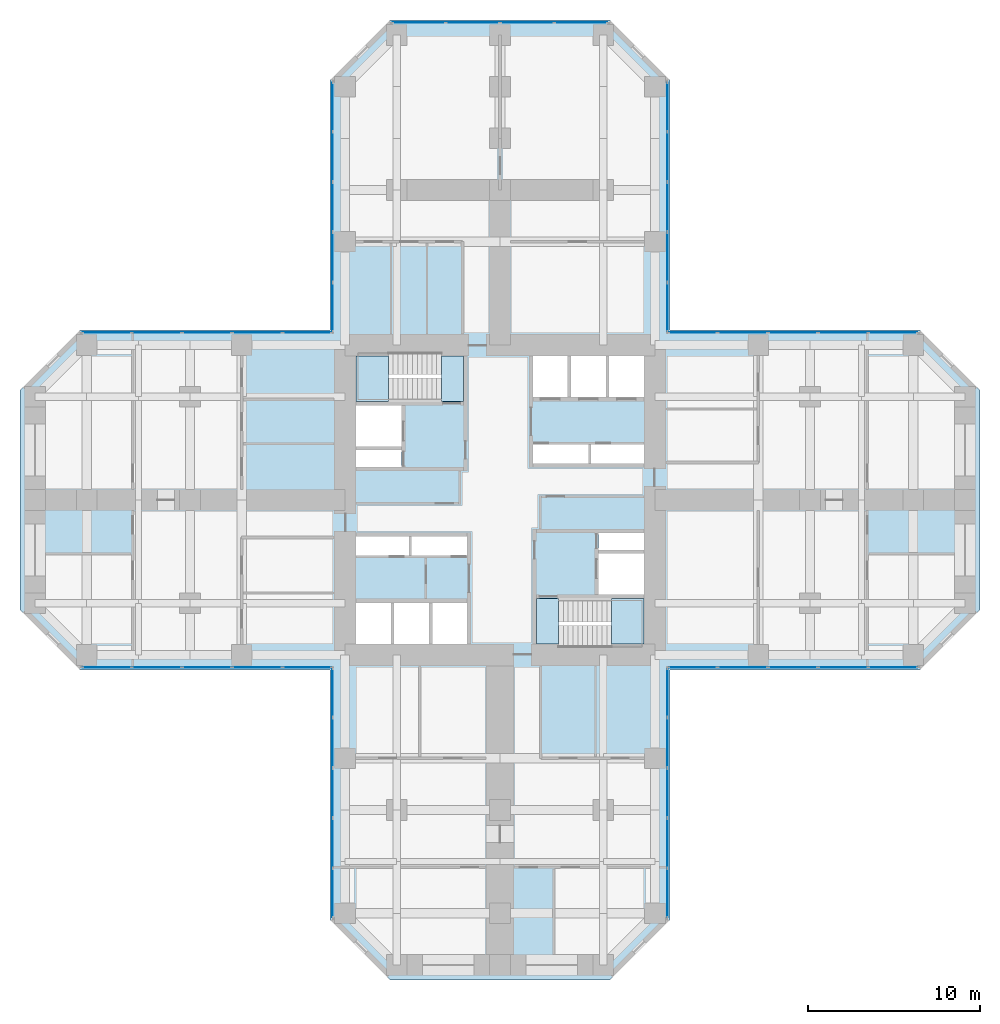
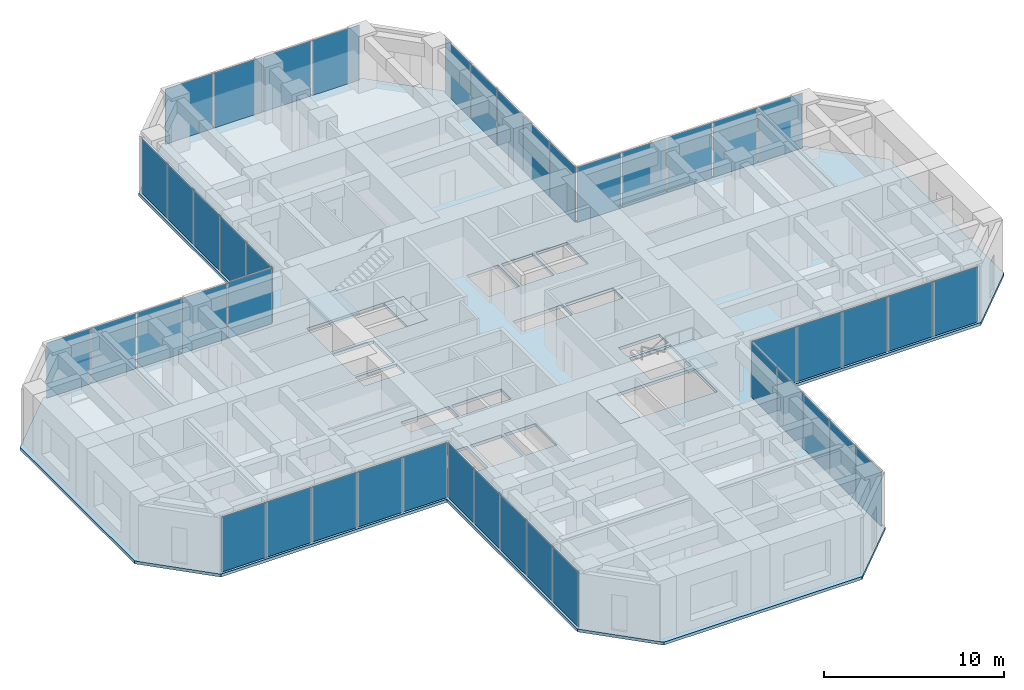
# One storey, part 7 of 13: 44 plates, 5 slabs, 11 elements without a shape of their own.
"""IFC4 building model written with IfcOpenShell, lengths in metres."""

import ifcopenshell
import ifcopenshell.guid

model = None  # the IFC model being written
_history = None  # IfcOwnerHistory: only IFC2X3 demands one
_inside = {}  # id of a spatial element -> (the spatial element, [elements in it])
_under = {}  # id of a project, library or spatial element -> (it, [spatial elements below it])
_declared = {}  # id of a project -> (the project, [libraries it declares])
_typed = {}  # id of a type object -> (the type object, [elements of that type])
_made_of = {}  # id of a material, layer set ... -> (it, [elements and type objects made of it])


def new_model(schema):
    """Start an empty IFC model of exactly this schema.

    Asked for "IFC4X3", IfcOpenShell would pick the latest addendum, in which some entities
    have other attributes; the version numbers below select the first issue.
    IFC2X3 requires an IfcOwnerHistory on every rooted entity: one is made here for all.
    """
    global model, _history
    if schema == "IFC4X3":
        model = ifcopenshell.file(schema_version=(4, 3, 0, 0))
    else:
        model = ifcopenshell.file(schema=schema)
    _inside.clear()
    _under.clear()
    _declared.clear()
    _typed.clear()
    _made_of.clear()
    _history = None
    if model.schema == "IFC2X3":
        org = make("IfcOrganization", Name="unknown")
        user = make(
            "IfcPersonAndOrganization",
            ThePerson=make("IfcPerson", FamilyName="unknown"),
            TheOrganization=org,
        )
        app = make(
            "IfcApplication",
            ApplicationDeveloper=org,
            Version="unknown",
            ApplicationFullName="unknown",
            ApplicationIdentifier="unknown",
        )
        _history = make(
            "IfcOwnerHistory",
            OwningUser=user,
            OwningApplication=app,
            ChangeAction="ADDED",
            CreationDate=0,
        )
    return model


def make(cls, **values):
    """One entity of the class cls with the attributes given. An attribute that is None is left unset."""
    return model.create_entity(
        cls, **{name: value for name, value in values.items() if value is not None}
    )


def rooted(cls, **values):
    """An entity with a GlobalId (a new one), such as an element, a storey or a relation."""
    return make(cls, GlobalId=ifcopenshell.guid.new(), OwnerHistory=_history, **values)


def si_unit(unit_type, name, prefix=None):
    """IfcSIUnit, for example si_unit("LENGTHUNIT", "METRE", prefix="MILLI")."""
    return make("IfcSIUnit", UnitType=unit_type, Prefix=prefix, Name=name)


def assignment(units):
    """IfcUnitAssignment: the units of a project."""
    return None if units is None else make("IfcUnitAssignment", Units=units)


def point(xyz):
    """IfcCartesianPoint."""
    return None if xyz is None else make("IfcCartesianPoint", Coordinates=xyz)


def direction(xyz):
    """IfcDirection."""
    return None if xyz is None else make("IfcDirection", DirectionRatios=xyz)


def frame(location, z_axis=None, x_axis=None):
    """IfcAxis2Placement3D, a coordinate frame: its origin and axes. An axis left out is left unset."""
    return make(
        "IfcAxis2Placement3D",
        Location=point(location),
        Axis=direction(z_axis),
        RefDirection=direction(x_axis),
    )


def frame_2d(location, x_axis=None):
    """IfcAxis2Placement2D, a coordinate frame in the plane: its origin and x axis."""
    return make(
        "IfcAxis2Placement2D", Location=point(location), RefDirection=direction(x_axis)
    )


def origin():
    """The frame at (0, 0, 0) with its axes left unset."""
    return frame((0.0, 0.0, 0.0))


def origin_2d():
    """The frame at (0, 0) in the plane with its x axis left unset."""
    return frame_2d((0.0, 0.0))


def place(relative_to, where):
    """IfcLocalPlacement: puts the frame where relative to a parent placement (None: the world)."""
    return make(
        "IfcLocalPlacement", PlacementRelTo=relative_to, RelativePlacement=where
    )


def context(
    kind, dimensions, precision=None, world=None, true_north=None, identifier=None
):
    """IfcGeometricRepresentationContext, for example the 3D "Model" context."""
    return make(
        "IfcGeometricRepresentationContext",
        ContextIdentifier=identifier,
        ContextType=kind,
        CoordinateSpaceDimension=dimensions,
        Precision=precision,
        WorldCoordinateSystem=world,
        TrueNorth=true_north,
    )


def subcontext(parent, identifier, kind, view, scale=None):
    """IfcGeometricRepresentationSubContext, for example "Body" below "Model"."""
    return make(
        "IfcGeometricRepresentationSubContext",
        ContextIdentifier=identifier,
        ContextType=kind,
        ParentContext=parent,
        TargetScale=scale,
        TargetView=view,
    )


def project(units=None, contexts=None):
    """IfcProject with its units and contexts."""
    return rooted(
        "IfcProject",
        Name="project",
        RepresentationContexts=contexts,
        UnitsInContext=assignment(units),
    )


def spatial(cls, under=None, at=None, **own):
    """A site, building, storey or space (cls), placed at a placement, below another one or the project."""
    s = rooted(cls, ObjectPlacement=at, **own)
    if under is not None:
        _under.setdefault(under.id(), (under, []))[1].append(s)
    return s


def polyline(points):
    """IfcPolyline through the points."""
    return make("IfcPolyline", Points=[point(p) for p in points])


def profile(cls, at=None, kind="AREA", **sizes):
    """A parametric profile (cls). Its sizes go by their IFC names, for example OverallWidth=200.0."""
    return make(cls, ProfileType=kind, Position=at, **sizes)


def rectangle(**sizes):
    """IfcRectangleProfileDef."""
    return profile("IfcRectangleProfileDef", **sizes)


def outline(outer, holes=None, kind="AREA"):
    """IfcArbitraryClosedProfileDef: a profile drawn as a closed curve; with holes, ...WithVoids."""
    if holes is None:
        return make("IfcArbitraryClosedProfileDef", ProfileType=kind, OuterCurve=outer)
    return make(
        "IfcArbitraryProfileDefWithVoids",
        ProfileType=kind,
        OuterCurve=outer,
        InnerCurves=holes,
    )


def extrude(swept, where, along, depth):
    """IfcExtrudedAreaSolid: the profile swept, set in the frame where, extruded along a direction by depth."""
    return make(
        "IfcExtrudedAreaSolid",
        SweptArea=swept,
        Position=where,
        ExtrudedDirection=direction(along),
        Depth=depth,
    )


def shape(context_of_items, identifier, shape_type, items):
    """IfcShapeRepresentation: the items that make up one representation, for example the "Body"."""
    return make(
        "IfcShapeRepresentation",
        ContextOfItems=context_of_items,
        RepresentationIdentifier=identifier,
        RepresentationType=shape_type,
        Items=items,
    )


def material(Name=None, Category=None):
    """IfcMaterial."""
    return make("IfcMaterial", Name=Name, Category=Category)


def layer(
    of_material, thickness, ventilated=None, Name=None, Category=None, Priority=None
):
    """IfcMaterialLayer: one layer of a wall or slab, of a material (None: an air gap)."""
    return make(
        "IfcMaterialLayer",
        Material=of_material,
        LayerThickness=thickness,
        IsVentilated=ventilated,
        Name=Name,
        Category=Category,
        Priority=Priority,
    )


def layer_set(layers, Name=None):
    """IfcMaterialLayerSet."""
    return make("IfcMaterialLayerSet", MaterialLayers=layers, LayerSetName=Name)


def made_of(thing, what):
    """Note that an element or type object is made of a material, layer set ...; save() writes the relation."""
    if what is not None:
        _made_of.setdefault(what.id(), (what, []))[1].append(thing)
    return thing


def type_object(cls, material=None, **own):
    """A type object (cls), such as IfcWallType, which elements share."""
    return made_of(rooted(cls, **own), material)


def element(
    cls,
    number,
    at=None,
    inside=None,
    cuts=None,
    type_object=None,
    material=None,
    context=None,
    identifier="Body",
    shape_type=None,
    held_by="IfcProductDefinitionShape",
    body=None,
    shapes=None,
    **own,
):
    """One element of the class cls, such as IfcWall. Its Tag is "e" and its number.

    at: its placement. inside: the storey or other place that contains it. cuts: it is an
    opening in that element (IfcRelVoidsElement). A single representation is given by context,
    identifier, shape_type and body (its items); several are given by shapes. held_by: the class
    of the entity that holds the representations. save() writes the other relations.
    """
    e = rooted(cls, Tag="e%d" % number, ObjectPlacement=at, **own)
    if body is not None:
        shapes = [shape(context, identifier, shape_type, body)]
    if shapes is not None:
        e.Representation = make(held_by, Representations=shapes)
    if inside is not None:
        _inside.setdefault(inside.id(), (inside, []))[1].append(e)
    if cuts is not None:
        rooted(
            "IfcRelVoidsElement", RelatingBuildingElement=cuts, RelatedOpeningElement=e
        )
    if type_object is not None:
        _typed.setdefault(type_object.id(), (type_object, []))[1].append(e)
    return made_of(e, material)


def aggregate(whole, parts):
    """IfcRelAggregates: a whole, such as a stair, and the parts it consists of."""
    return rooted("IfcRelAggregates", RelatingObject=whole, RelatedObjects=parts)


def save(model, path):
    """Write the relations noted so far, then the file.

    IfcRelAggregates (storeys below a building ...), IfcRelContainedInSpatialStructure (elements
    in a storey), IfcRelDefinesByType, IfcRelAssociatesMaterial and IfcRelDeclares: one each for
    every whole, place, type object, material and project.
    """
    for whole, parts in _under.values():
        aggregate(whole, parts)
    for where, things in _inside.values():
        rooted(
            "IfcRelContainedInSpatialStructure",
            RelatedElements=things,
            RelatingStructure=where,
        )
    for kind, things in _typed.values():
        rooted("IfcRelDefinesByType", RelatedObjects=things, RelatingType=kind)
    for what, things in _made_of.values():
        rooted("IfcRelAssociatesMaterial", RelatedObjects=things, RelatingMaterial=what)
    for by, libraries in _declared.values():
        rooted("IfcRelDeclares", RelatingContext=by, RelatedDefinitions=libraries)
    model.write(path)


model = new_model("IFC4")

# Units and contexts
model_context = context("Model", 3, precision=1e-05, world=origin(), true_north=direction((0.0, 1.0)))
body_context = subcontext(model_context, "Body", "Model", "MODEL_VIEW")
ifc_project = project(units=[si_unit("LENGTHUNIT", "METRE"), si_unit("AREAUNIT", "SQUARE_METRE"), si_unit("VOLUMEUNIT", "CUBIC_METRE"), si_unit("PLANEANGLEUNIT", "RADIAN"), si_unit("MASSUNIT", "GRAM", prefix="KILO")], contexts=[model_context])

# Site, building, storey
site_placement = place(None, origin())
site = spatial("IfcSite", under=ifc_project, at=site_placement, CompositionType="ELEMENT")
building_placement = place(site_placement, origin())
building = spatial("IfcBuilding", under=site, at=building_placement, Name="Torre Cruceta", CompositionType="ELEMENT")
storey_placement = place(building_placement, frame((0.0, 0.0, 51.5)))
storey = spatial("IfcBuildingStorey", under=building, at=storey_placement, Name="L12", CompositionType="ELEMENT", Elevation=51.5)

# Curtain wall, plate
ifc_material_1 = material(Name="Aluminium unitised curtain wall", Category="aluminium")
curtain_wall_type = type_object("IfcCurtainWallType", Name="CURTAIN WALL CW-A OFFICE LOW RISE", PredefinedType="USERDEFINED", material=ifc_material_1)
curtain_wall_1_placement = place(storey_placement, origin())
curtain_wall_1 = element("IfcCurtainWall", 1, at=curtain_wall_1_placement, inside=storey, type_object=curtain_wall_type, Name="CW-A L12 E side 00", ObjectType="UNITISED", PredefinedType="USERDEFINED")
ifc_material_2 = material(Name="Laminated insulating glass unit, diagonal frit 50 %", Category="glass")
ifc_material_3 = material(Name="Laminated insulating glass unit, diagonal frit 50 %", Category="glass")
ifc_layer_1 = layer(ifc_material_3, 0.033935546875)
ifc_layer_set_1 = layer_set([ifc_layer_1], Name="Laminated insulating glass unit, diagonal frit 50 %")
plate_type_1 = type_object("IfcPlateType", Name="CW-A OPERABLE VENT PANEL 34", PredefinedType="CURTAIN_PANEL", material=ifc_layer_set_1)
plate_1_placement = place(storey_placement, frame((17.009033203125, -9.719970703125, 0.010009765625), z_axis=(0.0, 0.0, 1.0), x_axis=(1.0, 0.0, 0.0)))
plate_1 = element("IfcPlate", 2, at=plate_1_placement, type_object=plate_type_1, material=ifc_material_2, Name="CW-A vent 3", PredefinedType="CURTAIN_PANEL", context=body_context, shape_type="SweptSolid", body=[
    extrude(rectangle(XDim=2.8505859375, YDim=0.033935546875, at=origin_2d()), origin(), (0.0, 0.0, 1.0), 3.72509765625),
])

curtain_wall_2_placement = place(storey_placement, origin())
curtain_wall_2 = element("IfcCurtainWall", 3, at=curtain_wall_2_placement, inside=storey, type_object=curtain_wall_type, Name="CW-A L12 E side 04", ObjectType="UNITISED", PredefinedType="USERDEFINED")
plate_2_placement = place(storey_placement, frame((17.009033203125, 9.719970703125, 0.010009765625), z_axis=(0.0, 0.0, 1.0), x_axis=(-1.0, 0.0, 0.0)))
plate_2 = element("IfcPlate", 4, at=plate_2_placement, type_object=plate_type_1, material=ifc_material_2, Name="CW-A vent 3", PredefinedType="CURTAIN_PANEL", context=body_context, shape_type="SweptSolid", body=[
    extrude(rectangle(XDim=2.8505859375, YDim=0.033935546875, at=origin_2d()), origin(), (0.0, 0.0, 1.0), 3.72509765625),
])

curtain_wall_3_placement = place(storey_placement, origin())
curtain_wall_3 = element("IfcCurtainWall", 5, at=curtain_wall_3_placement, inside=storey, type_object=curtain_wall_type, Name="CW-A L12 N side 05", ObjectType="UNITISED", PredefinedType="USERDEFINED")
plate_3_placement = place(storey_placement, frame((9.719970703125, 17.009033203125, 0.010009765625), z_axis=(0.0, 0.0, 1.0), x_axis=(0.0, 1.0, 0.0)))
plate_3 = element("IfcPlate", 6, at=plate_3_placement, type_object=plate_type_1, material=ifc_material_2, Name="CW-A vent 3", PredefinedType="CURTAIN_PANEL", context=body_context, shape_type="SweptSolid", body=[
    extrude(rectangle(XDim=2.8505859375, YDim=0.033935546875, at=origin_2d()), origin(), (0.0, 0.0, 1.0), 3.72509765625),
])

curtain_wall_4_placement = place(storey_placement, origin())
curtain_wall_4 = element("IfcCurtainWall", 7, at=curtain_wall_4_placement, inside=storey, type_object=curtain_wall_type, Name="CW-A L12 N tip 07", ObjectType="UNITISED", PredefinedType="USERDEFINED")
plate_4_placement = place(storey_placement, frame((-1.574462890625, 27.719970703125, 0.010009765625), z_axis=(0.0, 0.0, 1.0), x_axis=(-1.0, 0.0, 0.0)))
plate_4 = element("IfcPlate", 8, at=plate_4_placement, type_object=plate_type_1, material=ifc_material_2, Name="CW-A vent 3", PredefinedType="CURTAIN_PANEL", context=body_context, shape_type="SweptSolid", body=[
    extrude(rectangle(XDim=3.084228515625, YDim=0.033935546875, at=origin_2d()), origin(), (0.0, 0.0, 1.0), 3.72509765625),
])

curtain_wall_5_placement = place(storey_placement, origin())
curtain_wall_5 = element("IfcCurtainWall", 9, at=curtain_wall_5_placement, inside=storey, type_object=curtain_wall_type, Name="CW-A L12 N side 09", ObjectType="UNITISED", PredefinedType="USERDEFINED")
plate_5_placement = place(storey_placement, frame((-9.719970703125, 17.009033203125, 0.010009765625), z_axis=(0.0, 0.0, 1.0), x_axis=(0.0, -1.0, 0.0)))
plate_5 = element("IfcPlate", 10, at=plate_5_placement, type_object=plate_type_1, material=ifc_material_2, Name="CW-A vent 3", PredefinedType="CURTAIN_PANEL", context=body_context, shape_type="SweptSolid", body=[
    extrude(rectangle(XDim=2.8505859375, YDim=0.033935546875, at=origin_2d()), origin(), (0.0, 0.0, 1.0), 3.72509765625),
])

curtain_wall_6_placement = place(storey_placement, origin())
curtain_wall_6 = element("IfcCurtainWall", 11, at=curtain_wall_6_placement, inside=storey, type_object=curtain_wall_type, Name="CW-A L12 W side 10", ObjectType="UNITISED", PredefinedType="USERDEFINED")
plate_6_placement = place(storey_placement, frame((-17.009033203125, 9.719970703125, 0.010009765625), z_axis=(0.0, 0.0, 1.0), x_axis=(-1.0, 0.0, 0.0)))
plate_6 = element("IfcPlate", 12, at=plate_6_placement, type_object=plate_type_1, material=ifc_material_2, Name="CW-A vent 3", PredefinedType="CURTAIN_PANEL", context=body_context, shape_type="SweptSolid", body=[
    extrude(rectangle(XDim=2.8505859375, YDim=0.033935546875, at=origin_2d()), origin(), (0.0, 0.0, 1.0), 3.72509765625),
])

curtain_wall_7_placement = place(storey_placement, origin())
curtain_wall_7 = element("IfcCurtainWall", 13, at=curtain_wall_7_placement, inside=storey, type_object=curtain_wall_type, Name="CW-A L12 W side 14", ObjectType="UNITISED", PredefinedType="USERDEFINED")
plate_7_placement = place(storey_placement, frame((-17.009033203125, -9.719970703125, 0.010009765625), z_axis=(0.0, 0.0, 1.0), x_axis=(1.0, 0.0, 0.0)))
plate_7 = element("IfcPlate", 14, at=plate_7_placement, type_object=plate_type_1, material=ifc_material_2, Name="CW-A vent 3", PredefinedType="CURTAIN_PANEL", context=body_context, shape_type="SweptSolid", body=[
    extrude(rectangle(XDim=2.8505859375, YDim=0.033935546875, at=origin_2d()), origin(), (0.0, 0.0, 1.0), 3.72509765625),
])

curtain_wall_8_placement = place(storey_placement, origin())
curtain_wall_8 = element("IfcCurtainWall", 15, at=curtain_wall_8_placement, inside=storey, type_object=curtain_wall_type, Name="CW-A L12 S side 15", ObjectType="UNITISED", PredefinedType="USERDEFINED")
plate_8_placement = place(storey_placement, frame((-9.719970703125, -17.009033203125, 0.010009765625), z_axis=(0.0, 0.0, 1.0), x_axis=(0.0, -1.0, 0.0)))
plate_8 = element("IfcPlate", 16, at=plate_8_placement, type_object=plate_type_1, material=ifc_material_2, Name="CW-A vent 3", PredefinedType="CURTAIN_PANEL", context=body_context, shape_type="SweptSolid", body=[
    extrude(rectangle(XDim=2.8505859375, YDim=0.033935546875, at=origin_2d()), origin(), (0.0, 0.0, 1.0), 3.72509765625),
])

curtain_wall_9_placement = place(storey_placement, origin())
curtain_wall_9 = element("IfcCurtainWall", 17, at=curtain_wall_9_placement, inside=storey, type_object=curtain_wall_type, Name="CW-A L12 S side 19", ObjectType="UNITISED", PredefinedType="USERDEFINED")
plate_9_placement = place(storey_placement, frame((9.719970703125, -17.009033203125, 0.010009765625), z_axis=(0.0, 0.0, 1.0), x_axis=(0.0, 1.0, 0.0)))
plate_9 = element("IfcPlate", 18, at=plate_9_placement, type_object=plate_type_1, material=ifc_material_2, Name="CW-A vent 3", PredefinedType="CURTAIN_PANEL", context=body_context, shape_type="SweptSolid", body=[
    extrude(rectangle(XDim=2.8505859375, YDim=0.033935546875, at=origin_2d()), origin(), (0.0, 0.0, 1.0), 3.72509765625),
])

# Plate
ifc_material_4 = material(Name="Laminated insulating glass unit, low-iron clear", Category="glass")
ifc_material_5 = material(Name="Laminated insulating glass unit, diagonal frit 50 %", Category="glass")
ifc_layer_2 = layer(ifc_material_5, 0.033935546875)
ifc_layer_set_2 = layer_set([ifc_layer_2], Name="Laminated insulating glass unit, diagonal frit 50 %")
plate_type_2 = type_object("IfcPlateType", Name="CW-A PANEL 34", PredefinedType="CURTAIN_PANEL", material=ifc_layer_set_2)
plate_10_placement = place(storey_placement, frame((11.194091796875, -9.719970703125, 0.010009765625), z_axis=(0.0, 0.0, 1.0), x_axis=(1.0, 0.0, 0.0)))
plate_10 = element("IfcPlate", 19, at=plate_10_placement, type_object=plate_type_2, material=ifc_material_4, Name="CW-A panel 1", PredefinedType="CURTAIN_PANEL", context=body_context, shape_type="SweptSolid", body=[
    extrude(rectangle(XDim=2.818115234375, YDim=0.033935546875, at=origin_2d()), origin(), (0.0, 0.0, 1.0), 3.72509765625),
])

plate_11_placement = place(storey_placement, frame((14.093505859375, -9.719970703125, 0.010009765625), z_axis=(0.0, 0.0, 1.0), x_axis=(1.0, 0.0, 0.0)))
plate_11 = element("IfcPlate", 20, at=plate_11_placement, type_object=plate_type_2, material=ifc_material_4, Name="CW-A panel 2", PredefinedType="CURTAIN_PANEL", context=body_context, shape_type="SweptSolid", body=[
    extrude(rectangle(XDim=2.8505859375, YDim=0.033935546875, at=origin_2d()), origin(), (0.0, 0.0, 1.0), 3.72509765625),
])

plate_12_placement = place(storey_placement, frame((19.9248046875, -9.719970703125, 0.010009765625), z_axis=(0.0, 0.0, 1.0), x_axis=(1.0, 0.0, 0.0)))
plate_12 = element("IfcPlate", 21, at=plate_12_placement, type_object=plate_type_2, material=ifc_material_2, Name="CW-A panel 4", PredefinedType="CURTAIN_PANEL", context=body_context, shape_type="SweptSolid", body=[
    extrude(rectangle(XDim=2.8505859375, YDim=0.033935546875, at=origin_2d()), origin(), (0.0, 0.0, 1.0), 3.72509765625),
])

plate_13_placement = place(storey_placement, frame((22.82421875, -9.719970703125, 0.010009765625), z_axis=(0.0, 0.0, 1.0), x_axis=(1.0, 0.0, 0.0)))
plate_13 = element("IfcPlate", 22, at=plate_13_placement, type_object=plate_type_2, material=ifc_material_2, Name="CW-A panel 5", PredefinedType="CURTAIN_PANEL", context=body_context, shape_type="SweptSolid", body=[
    extrude(rectangle(XDim=2.818115234375, YDim=0.033935546875, at=origin_2d()), origin(), (0.0, 0.0, 1.0), 3.72509765625),
])

aggregate(curtain_wall_1, [plate_10, plate_11, plate_1, plate_12, plate_13])

plate_14_placement = place(storey_placement, frame((22.82421875, 9.719970703125, 0.010009765625), z_axis=(0.0, 0.0, 1.0), x_axis=(-1.0, 0.0, 0.0)))
plate_14 = element("IfcPlate", 23, at=plate_14_placement, type_object=plate_type_2, material=ifc_material_4, Name="CW-A panel 1", PredefinedType="CURTAIN_PANEL", context=body_context, shape_type="SweptSolid", body=[
    extrude(rectangle(XDim=2.818115234375, YDim=0.033935546875, at=origin_2d()), origin(), (0.0, 0.0, 1.0), 3.72509765625),
])

plate_15_placement = place(storey_placement, frame((19.9248046875, 9.719970703125, 0.010009765625), z_axis=(0.0, 0.0, 1.0), x_axis=(-1.0, 0.0, 0.0)))
plate_15 = element("IfcPlate", 24, at=plate_15_placement, type_object=plate_type_2, material=ifc_material_4, Name="CW-A panel 2", PredefinedType="CURTAIN_PANEL", context=body_context, shape_type="SweptSolid", body=[
    extrude(rectangle(XDim=2.8505859375, YDim=0.033935546875, at=origin_2d()), origin(), (0.0, 0.0, 1.0), 3.72509765625),
])

plate_16_placement = place(storey_placement, frame((14.093505859375, 9.719970703125, 0.010009765625), z_axis=(0.0, 0.0, 1.0), x_axis=(-1.0, 0.0, 0.0)))
plate_16 = element("IfcPlate", 25, at=plate_16_placement, type_object=plate_type_2, material=ifc_material_2, Name="CW-A panel 4", PredefinedType="CURTAIN_PANEL", context=body_context, shape_type="SweptSolid", body=[
    extrude(rectangle(XDim=2.8505859375, YDim=0.033935546875, at=origin_2d()), origin(), (0.0, 0.0, 1.0), 3.72509765625),
])

plate_17_placement = place(storey_placement, frame((11.194091796875, 9.719970703125, 0.010009765625), z_axis=(0.0, 0.0, 1.0), x_axis=(-1.0, 0.0, 0.0)))
plate_17 = element("IfcPlate", 26, at=plate_17_placement, type_object=plate_type_2, material=ifc_material_2, Name="CW-A panel 5", PredefinedType="CURTAIN_PANEL", context=body_context, shape_type="SweptSolid", body=[
    extrude(rectangle(XDim=2.818115234375, YDim=0.033935546875, at=origin_2d()), origin(), (0.0, 0.0, 1.0), 3.72509765625),
])

aggregate(curtain_wall_2, [plate_14, plate_15, plate_2, plate_16, plate_17])

plate_18_placement = place(storey_placement, frame((9.719970703125, 11.194091796875, 0.010009765625), z_axis=(0.0, 0.0, 1.0), x_axis=(0.0, 1.0, 0.0)))
plate_18 = element("IfcPlate", 27, at=plate_18_placement, type_object=plate_type_2, material=ifc_material_4, Name="CW-A panel 1", PredefinedType="CURTAIN_PANEL", context=body_context, shape_type="SweptSolid", body=[
    extrude(rectangle(XDim=2.818115234375, YDim=0.033935546875, at=origin_2d()), origin(), (0.0, 0.0, 1.0), 3.72509765625),
])

plate_19_placement = place(storey_placement, frame((9.719970703125, 14.093505859375, 0.010009765625), z_axis=(0.0, 0.0, 1.0), x_axis=(0.0, 1.0, 0.0)))
plate_19 = element("IfcPlate", 28, at=plate_19_placement, type_object=plate_type_2, material=ifc_material_4, Name="CW-A panel 2", PredefinedType="CURTAIN_PANEL", context=body_context, shape_type="SweptSolid", body=[
    extrude(rectangle(XDim=2.8505859375, YDim=0.033935546875, at=origin_2d()), origin(), (0.0, 0.0, 1.0), 3.72509765625),
])

plate_20_placement = place(storey_placement, frame((9.719970703125, 19.9248046875, 0.010009765625), z_axis=(0.0, 0.0, 1.0), x_axis=(0.0, 1.0, 0.0)))
plate_20 = element("IfcPlate", 29, at=plate_20_placement, type_object=plate_type_2, material=ifc_material_2, Name="CW-A panel 4", PredefinedType="CURTAIN_PANEL", context=body_context, shape_type="SweptSolid", body=[
    extrude(rectangle(XDim=2.8505859375, YDim=0.033935546875, at=origin_2d()), origin(), (0.0, 0.0, 1.0), 3.72509765625),
])

plate_21_placement = place(storey_placement, frame((9.719970703125, 22.82421875, 0.010009765625), z_axis=(0.0, 0.0, 1.0), x_axis=(0.0, 1.0, 0.0)))
plate_21 = element("IfcPlate", 30, at=plate_21_placement, type_object=plate_type_2, material=ifc_material_2, Name="CW-A panel 5", PredefinedType="CURTAIN_PANEL", context=body_context, shape_type="SweptSolid", body=[
    extrude(rectangle(XDim=2.818115234375, YDim=0.033935546875, at=origin_2d()), origin(), (0.0, 0.0, 1.0), 3.72509765625),
])

aggregate(curtain_wall_3, [plate_18, plate_19, plate_3, plate_20, plate_21])

plate_22_placement = place(storey_placement, frame((4.70751953125, 27.719970703125, 0.010009765625), z_axis=(0.0, 0.0, 1.0), x_axis=(-1.0, 0.0, 0.0)))
plate_22 = element("IfcPlate", 31, at=plate_22_placement, type_object=plate_type_2, material=ifc_material_4, Name="CW-A panel 1", PredefinedType="CURTAIN_PANEL", context=body_context, shape_type="SweptSolid", body=[
    extrude(rectangle(XDim=3.051513671875, YDim=0.033935546875, at=origin_2d()), origin(), (0.0, 0.0, 1.0), 3.72509765625),
])

plate_23_placement = place(storey_placement, frame((1.574462890625, 27.719970703125, 0.010009765625), z_axis=(0.0, 0.0, 1.0), x_axis=(-1.0, 0.0, 0.0)))
plate_23 = element("IfcPlate", 32, at=plate_23_placement, type_object=plate_type_2, material=ifc_material_4, Name="CW-A panel 2", PredefinedType="CURTAIN_PANEL", context=body_context, shape_type="SweptSolid", body=[
    extrude(rectangle(XDim=3.084228515625, YDim=0.033935546875, at=origin_2d()), origin(), (0.0, 0.0, 1.0), 3.72509765625),
])

plate_24_placement = place(storey_placement, frame((-4.70751953125, 27.719970703125, 0.010009765625), z_axis=(0.0, 0.0, 1.0), x_axis=(-1.0, 0.0, 0.0)))
plate_24 = element("IfcPlate", 33, at=plate_24_placement, type_object=plate_type_2, material=ifc_material_2, Name="CW-A panel 4", PredefinedType="CURTAIN_PANEL", context=body_context, shape_type="SweptSolid", body=[
    extrude(rectangle(XDim=3.051513671875, YDim=0.033935546875, at=origin_2d()), origin(), (0.0, 0.0, 1.0), 3.72509765625),
])

aggregate(curtain_wall_4, [plate_22, plate_23, plate_4, plate_24])

plate_25_placement = place(storey_placement, frame((-9.719970703125, 22.82421875, 0.010009765625), z_axis=(0.0, 0.0, 1.0), x_axis=(0.0, -1.0, 0.0)))
plate_25 = element("IfcPlate", 34, at=plate_25_placement, type_object=plate_type_2, material=ifc_material_4, Name="CW-A panel 1", PredefinedType="CURTAIN_PANEL", context=body_context, shape_type="SweptSolid", body=[
    extrude(rectangle(XDim=2.818115234375, YDim=0.033935546875, at=origin_2d()), origin(), (0.0, 0.0, 1.0), 3.72509765625),
])

plate_26_placement = place(storey_placement, frame((-9.719970703125, 19.9248046875, 0.010009765625), z_axis=(0.0, 0.0, 1.0), x_axis=(0.0, -1.0, 0.0)))
plate_26 = element("IfcPlate", 35, at=plate_26_placement, type_object=plate_type_2, material=ifc_material_4, Name="CW-A panel 2", PredefinedType="CURTAIN_PANEL", context=body_context, shape_type="SweptSolid", body=[
    extrude(rectangle(XDim=2.8505859375, YDim=0.033935546875, at=origin_2d()), origin(), (0.0, 0.0, 1.0), 3.72509765625),
])

plate_27_placement = place(storey_placement, frame((-9.719970703125, 14.093505859375, 0.010009765625), z_axis=(0.0, 0.0, 1.0), x_axis=(0.0, -1.0, 0.0)))
plate_27 = element("IfcPlate", 36, at=plate_27_placement, type_object=plate_type_2, material=ifc_material_2, Name="CW-A panel 4", PredefinedType="CURTAIN_PANEL", context=body_context, shape_type="SweptSolid", body=[
    extrude(rectangle(XDim=2.8505859375, YDim=0.033935546875, at=origin_2d()), origin(), (0.0, 0.0, 1.0), 3.72509765625),
])

plate_28_placement = place(storey_placement, frame((-9.719970703125, 11.194091796875, 0.010009765625), z_axis=(0.0, 0.0, 1.0), x_axis=(0.0, -1.0, 0.0)))
plate_28 = element("IfcPlate", 37, at=plate_28_placement, type_object=plate_type_2, material=ifc_material_2, Name="CW-A panel 5", PredefinedType="CURTAIN_PANEL", context=body_context, shape_type="SweptSolid", body=[
    extrude(rectangle(XDim=2.818115234375, YDim=0.033935546875, at=origin_2d()), origin(), (0.0, 0.0, 1.0), 3.72509765625),
])

aggregate(curtain_wall_5, [plate_25, plate_26, plate_5, plate_27, plate_28])

plate_29_placement = place(storey_placement, frame((-11.194091796875, 9.719970703125, 0.010009765625), z_axis=(0.0, 0.0, 1.0), x_axis=(-1.0, 0.0, 0.0)))
plate_29 = element("IfcPlate", 38, at=plate_29_placement, type_object=plate_type_2, material=ifc_material_4, Name="CW-A panel 1", PredefinedType="CURTAIN_PANEL", context=body_context, shape_type="SweptSolid", body=[
    extrude(rectangle(XDim=2.818115234375, YDim=0.033935546875, at=origin_2d()), origin(), (0.0, 0.0, 1.0), 3.72509765625),
])

plate_30_placement = place(storey_placement, frame((-14.093505859375, 9.719970703125, 0.010009765625), z_axis=(0.0, 0.0, 1.0), x_axis=(-1.0, 0.0, 0.0)))
plate_30 = element("IfcPlate", 39, at=plate_30_placement, type_object=plate_type_2, material=ifc_material_4, Name="CW-A panel 2", PredefinedType="CURTAIN_PANEL", context=body_context, shape_type="SweptSolid", body=[
    extrude(rectangle(XDim=2.8505859375, YDim=0.033935546875, at=origin_2d()), origin(), (0.0, 0.0, 1.0), 3.72509765625),
])

plate_31_placement = place(storey_placement, frame((-19.9248046875, 9.719970703125, 0.010009765625), z_axis=(0.0, 0.0, 1.0), x_axis=(-1.0, 0.0, 0.0)))
plate_31 = element("IfcPlate", 40, at=plate_31_placement, type_object=plate_type_2, material=ifc_material_2, Name="CW-A panel 4", PredefinedType="CURTAIN_PANEL", context=body_context, shape_type="SweptSolid", body=[
    extrude(rectangle(XDim=2.8505859375, YDim=0.033935546875, at=origin_2d()), origin(), (0.0, 0.0, 1.0), 3.72509765625),
])

plate_32_placement = place(storey_placement, frame((-22.82421875, 9.719970703125, 0.010009765625), z_axis=(0.0, 0.0, 1.0), x_axis=(-1.0, 0.0, 0.0)))
plate_32 = element("IfcPlate", 41, at=plate_32_placement, type_object=plate_type_2, material=ifc_material_2, Name="CW-A panel 5", PredefinedType="CURTAIN_PANEL", context=body_context, shape_type="SweptSolid", body=[
    extrude(rectangle(XDim=2.818115234375, YDim=0.033935546875, at=origin_2d()), origin(), (0.0, 0.0, 1.0), 3.72509765625),
])

aggregate(curtain_wall_6, [plate_29, plate_30, plate_6, plate_31, plate_32])

plate_33_placement = place(storey_placement, frame((-22.82421875, -9.719970703125, 0.010009765625), z_axis=(0.0, 0.0, 1.0), x_axis=(1.0, 0.0, 0.0)))
plate_33 = element("IfcPlate", 42, at=plate_33_placement, type_object=plate_type_2, material=ifc_material_4, Name="CW-A panel 1", PredefinedType="CURTAIN_PANEL", context=body_context, shape_type="SweptSolid", body=[
    extrude(rectangle(XDim=2.818115234375, YDim=0.033935546875, at=origin_2d()), origin(), (0.0, 0.0, 1.0), 3.72509765625),
])

plate_34_placement = place(storey_placement, frame((-19.9248046875, -9.719970703125, 0.010009765625), z_axis=(0.0, 0.0, 1.0), x_axis=(1.0, 0.0, 0.0)))
plate_34 = element("IfcPlate", 43, at=plate_34_placement, type_object=plate_type_2, material=ifc_material_4, Name="CW-A panel 2", PredefinedType="CURTAIN_PANEL", context=body_context, shape_type="SweptSolid", body=[
    extrude(rectangle(XDim=2.8505859375, YDim=0.033935546875, at=origin_2d()), origin(), (0.0, 0.0, 1.0), 3.72509765625),
])

plate_35_placement = place(storey_placement, frame((-14.093505859375, -9.719970703125, 0.010009765625), z_axis=(0.0, 0.0, 1.0), x_axis=(1.0, 0.0, 0.0)))
plate_35 = element("IfcPlate", 44, at=plate_35_placement, type_object=plate_type_2, material=ifc_material_2, Name="CW-A panel 4", PredefinedType="CURTAIN_PANEL", context=body_context, shape_type="SweptSolid", body=[
    extrude(rectangle(XDim=2.8505859375, YDim=0.033935546875, at=origin_2d()), origin(), (0.0, 0.0, 1.0), 3.72509765625),
])

plate_36_placement = place(storey_placement, frame((-11.194091796875, -9.719970703125, 0.010009765625), z_axis=(0.0, 0.0, 1.0), x_axis=(1.0, 0.0, 0.0)))
plate_36 = element("IfcPlate", 45, at=plate_36_placement, type_object=plate_type_2, material=ifc_material_2, Name="CW-A panel 5", PredefinedType="CURTAIN_PANEL", context=body_context, shape_type="SweptSolid", body=[
    extrude(rectangle(XDim=2.818115234375, YDim=0.033935546875, at=origin_2d()), origin(), (0.0, 0.0, 1.0), 3.72509765625),
])

aggregate(curtain_wall_7, [plate_33, plate_34, plate_7, plate_35, plate_36])

plate_37_placement = place(storey_placement, frame((-9.719970703125, -11.194091796875, 0.010009765625), z_axis=(0.0, 0.0, 1.0), x_axis=(0.0, -1.0, 0.0)))
plate_37 = element("IfcPlate", 46, at=plate_37_placement, type_object=plate_type_2, material=ifc_material_4, Name="CW-A panel 1", PredefinedType="CURTAIN_PANEL", context=body_context, shape_type="SweptSolid", body=[
    extrude(rectangle(XDim=2.818115234375, YDim=0.033935546875, at=origin_2d()), origin(), (0.0, 0.0, 1.0), 3.72509765625),
])

plate_38_placement = place(storey_placement, frame((-9.719970703125, -14.093505859375, 0.010009765625), z_axis=(0.0, 0.0, 1.0), x_axis=(0.0, -1.0, 0.0)))
plate_38 = element("IfcPlate", 47, at=plate_38_placement, type_object=plate_type_2, material=ifc_material_4, Name="CW-A panel 2", PredefinedType="CURTAIN_PANEL", context=body_context, shape_type="SweptSolid", body=[
    extrude(rectangle(XDim=2.8505859375, YDim=0.033935546875, at=origin_2d()), origin(), (0.0, 0.0, 1.0), 3.72509765625),
])

plate_39_placement = place(storey_placement, frame((-9.719970703125, -19.9248046875, 0.010009765625), z_axis=(0.0, 0.0, 1.0), x_axis=(0.0, -1.0, 0.0)))
plate_39 = element("IfcPlate", 48, at=plate_39_placement, type_object=plate_type_2, material=ifc_material_2, Name="CW-A panel 4", PredefinedType="CURTAIN_PANEL", context=body_context, shape_type="SweptSolid", body=[
    extrude(rectangle(XDim=2.8505859375, YDim=0.033935546875, at=origin_2d()), origin(), (0.0, 0.0, 1.0), 3.72509765625),
])

plate_40_placement = place(storey_placement, frame((-9.719970703125, -22.82421875, 0.010009765625), z_axis=(0.0, 0.0, 1.0), x_axis=(0.0, -1.0, 0.0)))
plate_40 = element("IfcPlate", 49, at=plate_40_placement, type_object=plate_type_2, material=ifc_material_2, Name="CW-A panel 5", PredefinedType="CURTAIN_PANEL", context=body_context, shape_type="SweptSolid", body=[
    extrude(rectangle(XDim=2.818115234375, YDim=0.033935546875, at=origin_2d()), origin(), (0.0, 0.0, 1.0), 3.72509765625),
])

aggregate(curtain_wall_8, [plate_37, plate_38, plate_8, plate_39, plate_40])

plate_41_placement = place(storey_placement, frame((9.719970703125, -22.82421875, 0.010009765625), z_axis=(0.0, 0.0, 1.0), x_axis=(0.0, 1.0, 0.0)))
plate_41 = element("IfcPlate", 50, at=plate_41_placement, type_object=plate_type_2, material=ifc_material_4, Name="CW-A panel 1", PredefinedType="CURTAIN_PANEL", context=body_context, shape_type="SweptSolid", body=[
    extrude(rectangle(XDim=2.818115234375, YDim=0.033935546875, at=origin_2d()), origin(), (0.0, 0.0, 1.0), 3.72509765625),
])

plate_42_placement = place(storey_placement, frame((9.719970703125, -19.9248046875, 0.010009765625), z_axis=(0.0, 0.0, 1.0), x_axis=(0.0, 1.0, 0.0)))
plate_42 = element("IfcPlate", 51, at=plate_42_placement, type_object=plate_type_2, material=ifc_material_4, Name="CW-A panel 2", PredefinedType="CURTAIN_PANEL", context=body_context, shape_type="SweptSolid", body=[
    extrude(rectangle(XDim=2.8505859375, YDim=0.033935546875, at=origin_2d()), origin(), (0.0, 0.0, 1.0), 3.72509765625),
])

plate_43_placement = place(storey_placement, frame((9.719970703125, -14.093505859375, 0.010009765625), z_axis=(0.0, 0.0, 1.0), x_axis=(0.0, 1.0, 0.0)))
plate_43 = element("IfcPlate", 52, at=plate_43_placement, type_object=plate_type_2, material=ifc_material_2, Name="CW-A panel 4", PredefinedType="CURTAIN_PANEL", context=body_context, shape_type="SweptSolid", body=[
    extrude(rectangle(XDim=2.8505859375, YDim=0.033935546875, at=origin_2d()), origin(), (0.0, 0.0, 1.0), 3.72509765625),
])

plate_44_placement = place(storey_placement, frame((9.719970703125, -11.194091796875, 0.010009765625), z_axis=(0.0, 0.0, 1.0), x_axis=(0.0, 1.0, 0.0)))
plate_44 = element("IfcPlate", 53, at=plate_44_placement, type_object=plate_type_2, material=ifc_material_2, Name="CW-A panel 5", PredefinedType="CURTAIN_PANEL", context=body_context, shape_type="SweptSolid", body=[
    extrude(rectangle(XDim=2.818115234375, YDim=0.033935546875, at=origin_2d()), origin(), (0.0, 0.0, 1.0), 3.72509765625),
])

aggregate(curtain_wall_9, [plate_41, plate_42, plate_9, plate_43, plate_44])

# Slab
ifc_material_6 = material(Name="Concrete G35 (fck 35 MPa)", Category="concrete")
ifc_layer_3 = layer(ifc_material_6, 0.199951171875)
ifc_layer_set_3 = layer_set([ifc_layer_3], Name="Concrete G35 (fck 35 MPa)")
slab_type_1 = type_object("IfcSlabType", Name="FLOOR SLAB 200", PredefinedType="FLOOR", material=ifc_layer_set_3)
slab_1_placement = place(storey_placement, frame((0.0, 0.0, -0.199951171875)))
element("IfcSlab", 54, at=slab_1_placement, inside=storey, type_object=slab_type_1, Name="Floor Slab L12", PredefinedType="FLOOR", context=body_context, shape_type="SweptSolid", body=[
    extrude(outline(polyline([(9.8701171875, -9.8701171875), (9.8701171875, -24.3603515625), (6.3603515625, -27.8701171875), (-6.3603515625, -27.8701171875), (-9.8701171875, -24.3603515625), (-9.8701171875, -9.8701171875), (-24.3603515625, -9.8701171875), (-27.8701171875, -6.3603515625), (-27.8701171875, 6.3603515625), (-24.3603515625, 9.8701171875), (-9.8701171875, 9.8701171875), (-9.8701171875, 24.3603515625), (-6.3603515625, 27.8701171875), (6.3603515625, 27.8701171875), (9.8701171875, 24.3603515625), (9.8701171875, 9.8701171875), (24.3603515625, 9.8701171875), (27.8701171875, 6.3603515625), (27.8701171875, -6.3603515625), (24.3603515625, -9.8701171875), (9.8701171875, -9.8701171875)]), holes=[polyline([(1.925048828125, 5.97509765625), (3.933349609375, 5.97509765625), (3.933349609375, 8.35009765625), (1.925048828125, 8.35009765625), (1.925048828125, 5.97509765625)]), polyline([(4.13330078125, 5.97509765625), (6.1416015625, 5.97509765625), (6.1416015625, 8.35009765625), (4.13330078125, 8.35009765625), (4.13330078125, 5.97509765625)]), polyline([(6.341552734375, 5.97509765625), (8.35009765625, 5.97509765625), (8.35009765625, 8.35009765625), (6.341552734375, 8.35009765625), (6.341552734375, 5.97509765625)]), polyline([(1.925048828125, 2.125), (5.125, 2.125), (5.125, 3.22509765625), (1.925048828125, 3.22509765625), (1.925048828125, 2.125)]), polyline([(5.27490234375, 2.125), (8.35009765625, 2.125), (8.35009765625, 3.22509765625), (5.27490234375, 3.22509765625), (5.27490234375, 2.125)]), polyline([(-8.35009765625, 3.10009765625), (-5.72509765625, 3.10009765625), (-5.72509765625, 5.47509765625), (-8.35009765625, 5.47509765625), (-8.35009765625, 3.10009765625)]), polyline([(-8.35009765625, 1.925048828125), (-5.72509765625, 1.925048828125), (-5.72509765625, 2.89990234375), (-8.35009765625, 2.89990234375), (-8.35009765625, 1.925048828125)]), polyline([(-3.933349609375, -8.35009765625), (-1.925048828125, -8.35009765625), (-1.925048828125, -5.97509765625), (-3.933349609375, -5.97509765625), (-3.933349609375, -8.35009765625)]), polyline([(-6.1416015625, -8.35009765625), (-4.13330078125, -8.35009765625), (-4.13330078125, -5.97509765625), (-6.1416015625, -5.97509765625), (-6.1416015625, -8.35009765625)]), polyline([(-8.35009765625, -8.35009765625), (-6.341552734375, -8.35009765625), (-6.341552734375, -5.97509765625), (-8.35009765625, -5.97509765625), (-8.35009765625, -8.35009765625)]), polyline([(-5.125, -3.22509765625), (-1.925048828125, -3.22509765625), (-1.925048828125, -2.125), (-5.125, -2.125), (-5.125, -3.22509765625)]), polyline([(-8.35009765625, -3.22509765625), (-5.27490234375, -3.22509765625), (-5.27490234375, -2.125), (-8.35009765625, -2.125), (-8.35009765625, -3.22509765625)]), polyline([(5.72509765625, -5.47509765625), (8.35009765625, -5.47509765625), (8.35009765625, -3.10009765625), (5.72509765625, -3.10009765625), (5.72509765625, -5.47509765625)]), polyline([(5.72509765625, -2.89990234375), (8.35009765625, -2.89990234375), (8.35009765625, -1.925048828125), (5.72509765625, -1.925048828125), (5.72509765625, -2.89990234375)]), polyline([(-8.35009765625, 5.72509765625), (-8.35009765625, 8.35009765625), (-3.39990234375, 8.35009765625), (-2.125, 8.35009765625), (-2.125, 5.72509765625), (-3.39990234375, 5.72509765625), (-8.35009765625, 5.72509765625)]), polyline([(2.125, -5.72509765625), (3.39990234375, -5.72509765625), (8.35009765625, -5.72509765625), (8.35009765625, -8.35009765625), (3.39990234375, -8.35009765625), (2.125, -8.35009765625), (2.125, -5.72509765625)])]), origin(), (0.0, 0.0, 1.0), 0.199951171875),
])

# Stair, slab
ifc_material_7 = material(Name="Concrete G30 (fck 30 MPa)", Category="concrete")
stair_type = type_object("IfcStairType", Name="STAIR HALF-TURN 1300", PredefinedType="HALF_TURN_STAIR", material=ifc_material_7)
stair_1_placement = place(storey_placement, origin())
stair_1 = element("IfcStair", 55, at=stair_1_placement, inside=storey, type_object=stair_type, Name="Stair ST1 L12", PredefinedType="HALF_TURN_STAIR")
ifc_material_8 = material(Name="Concrete G30 (fck 30 MPa)", Category="concrete")
ifc_layer_4 = layer(ifc_material_8, 0.199951171875)
ifc_layer_set_4 = layer_set([ifc_layer_4], Name="Concrete G30 (fck 30 MPa)")
slab_type_2 = type_object("IfcSlabType", Name="STAIR LANDING 200", PredefinedType="LANDING", material=ifc_layer_set_4)
slab_2_placement = place(storey_placement, frame((0.0, 0.0, 1.800048828125)))
slab_2 = element("IfcSlab", 56, at=slab_2_placement, type_object=slab_type_2, Name="ST1 landing 1", PredefinedType="LANDING", context=body_context, shape_type="SweptSolid", body=[
    extrude(outline(polyline([(-8.35009765625, 5.72509765625), (-6.47998046875, 5.72509765625), (-6.47998046875, 8.35009765625), (-8.35009765625, 8.35009765625), (-8.35009765625, 5.72509765625)])), origin(), (0.0, 0.0, 1.0), 0.199951171875),
])
aggregate(stair_1, [slab_2])

stair_2_placement = place(storey_placement, origin())
stair_2 = element("IfcStair", 57, at=stair_2_placement, inside=storey, type_object=stair_type, Name="Stair ST2 L12", PredefinedType="HALF_TURN_STAIR")
slab_3_placement = place(storey_placement, frame((0.0, 0.0, 1.800048828125)))
slab_3 = element("IfcSlab", 58, at=slab_3_placement, type_object=slab_type_2, Name="ST2 landing 1", PredefinedType="LANDING", context=body_context, shape_type="SweptSolid", body=[
    extrude(outline(polyline([(6.47998046875, -8.35009765625), (8.35009765625, -8.35009765625), (8.35009765625, -5.72509765625), (6.47998046875, -5.72509765625), (6.47998046875, -8.35009765625)])), origin(), (0.0, 0.0, 1.0), 0.199951171875),
])
aggregate(stair_2, [slab_3])

# Slabs
slab_4_placement = place(storey_placement, frame((0.0, 0.0, -0.199951171875)))
element("IfcSlab", 59, at=slab_4_placement, inside=storey, type_object=slab_type_2, Name="Stair ST1 floor landing L12", PredefinedType="LANDING", context=body_context, shape_type="SweptSolid", body=[
    extrude(outline(polyline([(-2.125, 8.35009765625), (-2.125, 5.72509765625), (-3.39990234375, 5.72509765625), (-3.39990234375, 8.35009765625), (-2.125, 8.35009765625)])), origin(), (0.0, 0.0, 1.0), 0.199951171875),
])
slab_5_placement = place(storey_placement, frame((0.0, 0.0, -0.199951171875)))
element("IfcSlab", 60, at=slab_5_placement, inside=storey, type_object=slab_type_2, Name="Stair ST2 floor landing L12", PredefinedType="LANDING", context=body_context, shape_type="SweptSolid", body=[
    extrude(outline(polyline([(2.125, -8.35009765625), (2.125, -5.72509765625), (3.39990234375, -5.72509765625), (3.39990234375, -8.35009765625), (2.125, -8.35009765625)])), origin(), (0.0, 0.0, 1.0), 0.199951171875),
])

save(model, "model.ifc")
